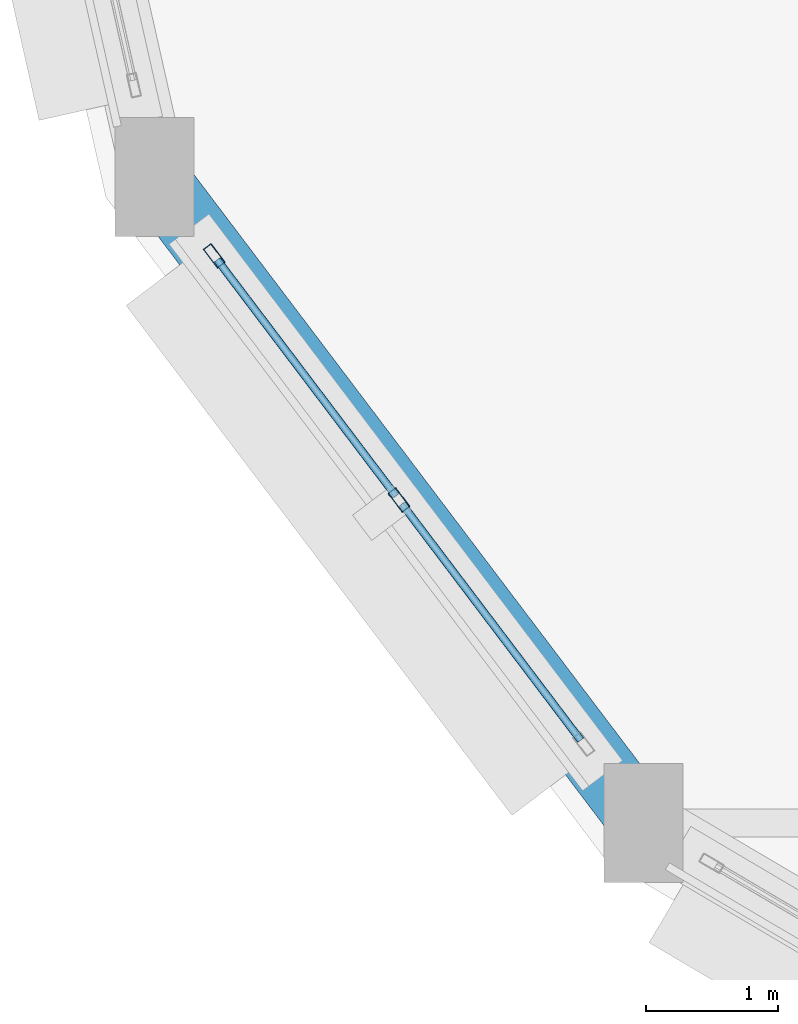
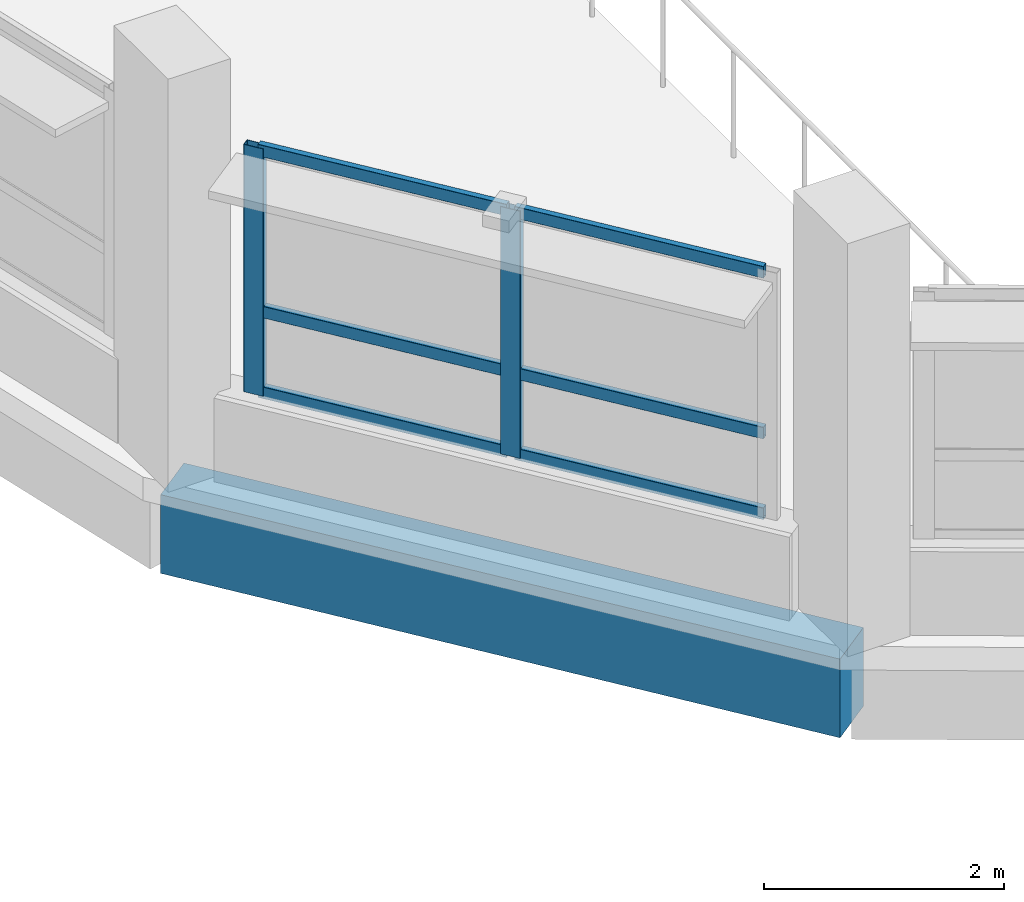
# One storey, part 62 of 128: 8 members, 1 beam, 1 element without a shape of its own.
"""IFC4 building model written with IfcOpenShell, lengths in metres."""

import ifcopenshell
import ifcopenshell.guid

model = None  # the IFC model being written
_history = None  # IfcOwnerHistory: only IFC2X3 demands one
_inside = {}  # id of a spatial element -> (the spatial element, [elements in it])
_under = {}  # id of a project, library or spatial element -> (it, [spatial elements below it])
_declared = {}  # id of a project -> (the project, [libraries it declares])
_typed = {}  # id of a type object -> (the type object, [elements of that type])
_made_of = {}  # id of a material, layer set ... -> (it, [elements and type objects made of it])


def new_model(schema):
    """Start an empty IFC model of exactly this schema.

    Asked for "IFC4X3", IfcOpenShell would pick the latest addendum, in which some entities
    have other attributes; the version numbers below select the first issue.
    IFC2X3 requires an IfcOwnerHistory on every rooted entity: one is made here for all.
    """
    global model, _history
    if schema == "IFC4X3":
        model = ifcopenshell.file(schema_version=(4, 3, 0, 0))
    else:
        model = ifcopenshell.file(schema=schema)
    _inside.clear()
    _under.clear()
    _declared.clear()
    _typed.clear()
    _made_of.clear()
    _history = None
    if model.schema == "IFC2X3":
        org = make("IfcOrganization", Name="unknown")
        user = make(
            "IfcPersonAndOrganization",
            ThePerson=make("IfcPerson", FamilyName="unknown"),
            TheOrganization=org,
        )
        app = make(
            "IfcApplication",
            ApplicationDeveloper=org,
            Version="unknown",
            ApplicationFullName="unknown",
            ApplicationIdentifier="unknown",
        )
        _history = make(
            "IfcOwnerHistory",
            OwningUser=user,
            OwningApplication=app,
            ChangeAction="ADDED",
            CreationDate=0,
        )
    return model


def make(cls, **values):
    """One entity of the class cls with the attributes given. An attribute that is None is left unset."""
    return model.create_entity(
        cls, **{name: value for name, value in values.items() if value is not None}
    )


def rooted(cls, **values):
    """An entity with a GlobalId (a new one), such as an element, a storey or a relation."""
    return make(cls, GlobalId=ifcopenshell.guid.new(), OwnerHistory=_history, **values)


def si_unit(unit_type, name, prefix=None):
    """IfcSIUnit, for example si_unit("LENGTHUNIT", "METRE", prefix="MILLI")."""
    return make("IfcSIUnit", UnitType=unit_type, Prefix=prefix, Name=name)


def assignment(units):
    """IfcUnitAssignment: the units of a project."""
    return None if units is None else make("IfcUnitAssignment", Units=units)


def point(xyz):
    """IfcCartesianPoint."""
    return None if xyz is None else make("IfcCartesianPoint", Coordinates=xyz)


def direction(xyz):
    """IfcDirection."""
    return None if xyz is None else make("IfcDirection", DirectionRatios=xyz)


def frame(location, z_axis=None, x_axis=None):
    """IfcAxis2Placement3D, a coordinate frame: its origin and axes. An axis left out is left unset."""
    return make(
        "IfcAxis2Placement3D",
        Location=point(location),
        Axis=direction(z_axis),
        RefDirection=direction(x_axis),
    )


def frame_2d(location, x_axis=None):
    """IfcAxis2Placement2D, a coordinate frame in the plane: its origin and x axis."""
    return make(
        "IfcAxis2Placement2D", Location=point(location), RefDirection=direction(x_axis)
    )


def origin():
    """The frame at (0, 0, 0) with its axes left unset."""
    return frame((0.0, 0.0, 0.0))


def origin_2d():
    """The frame at (0, 0) in the plane with its x axis left unset."""
    return frame_2d((0.0, 0.0))


def place(relative_to, where):
    """IfcLocalPlacement: puts the frame where relative to a parent placement (None: the world)."""
    return make(
        "IfcLocalPlacement", PlacementRelTo=relative_to, RelativePlacement=where
    )


def context(
    kind, dimensions, precision=None, world=None, true_north=None, identifier=None
):
    """IfcGeometricRepresentationContext, for example the 3D "Model" context."""
    return make(
        "IfcGeometricRepresentationContext",
        ContextIdentifier=identifier,
        ContextType=kind,
        CoordinateSpaceDimension=dimensions,
        Precision=precision,
        WorldCoordinateSystem=world,
        TrueNorth=true_north,
    )


def subcontext(parent, identifier, kind, view, scale=None):
    """IfcGeometricRepresentationSubContext, for example "Body" below "Model"."""
    return make(
        "IfcGeometricRepresentationSubContext",
        ContextIdentifier=identifier,
        ContextType=kind,
        ParentContext=parent,
        TargetScale=scale,
        TargetView=view,
    )


def project(units=None, contexts=None):
    """IfcProject with its units and contexts."""
    return rooted(
        "IfcProject",
        Name="project",
        RepresentationContexts=contexts,
        UnitsInContext=assignment(units),
    )


def spatial(cls, under=None, at=None, **own):
    """A site, building, storey or space (cls), placed at a placement, below another one or the project."""
    s = rooted(cls, ObjectPlacement=at, **own)
    if under is not None:
        _under.setdefault(under.id(), (under, []))[1].append(s)
    return s


def profile(cls, at=None, kind="AREA", **sizes):
    """A parametric profile (cls). Its sizes go by their IFC names, for example OverallWidth=200.0."""
    return make(cls, ProfileType=kind, Position=at, **sizes)


def rectangle(**sizes):
    """IfcRectangleProfileDef."""
    return profile("IfcRectangleProfileDef", **sizes)


def hollow_rectangle(**sizes):
    """IfcRectangleHollowProfileDef."""
    return profile("IfcRectangleHollowProfileDef", **sizes)


def extrude(swept, where, along, depth):
    """IfcExtrudedAreaSolid: the profile swept, set in the frame where, extruded along a direction by depth."""
    return make(
        "IfcExtrudedAreaSolid",
        SweptArea=swept,
        Position=where,
        ExtrudedDirection=direction(along),
        Depth=depth,
    )


def shape(context_of_items, identifier, shape_type, items):
    """IfcShapeRepresentation: the items that make up one representation, for example the "Body"."""
    return make(
        "IfcShapeRepresentation",
        ContextOfItems=context_of_items,
        RepresentationIdentifier=identifier,
        RepresentationType=shape_type,
        Items=items,
    )


def material(Name=None, Category=None):
    """IfcMaterial."""
    return make("IfcMaterial", Name=Name, Category=Category)


def layer(
    of_material, thickness, ventilated=None, Name=None, Category=None, Priority=None
):
    """IfcMaterialLayer: one layer of a wall or slab, of a material (None: an air gap)."""
    return make(
        "IfcMaterialLayer",
        Material=of_material,
        LayerThickness=thickness,
        IsVentilated=ventilated,
        Name=Name,
        Category=Category,
        Priority=Priority,
    )


def layer_set(layers, Name=None):
    """IfcMaterialLayerSet."""
    return make("IfcMaterialLayerSet", MaterialLayers=layers, LayerSetName=Name)


def material_profile(
    of_material, cross_section, Name=None, Category=None, Priority=None
):
    """IfcMaterialProfile: a cross section and its material."""
    return make(
        "IfcMaterialProfile",
        Name=Name,
        Material=of_material,
        Profile=cross_section,
        Priority=Priority,
        Category=Category,
    )


def profile_set(profiles, Name=None, composite=None):
    """IfcMaterialProfileSet."""
    return make(
        "IfcMaterialProfileSet",
        Name=Name,
        MaterialProfiles=profiles,
        CompositeProfile=composite,
    )


def made_of(thing, what):
    """Note that an element or type object is made of a material, layer set ...; save() writes the relation."""
    if what is not None:
        _made_of.setdefault(what.id(), (what, []))[1].append(thing)
    return thing


def type_object(cls, material=None, **own):
    """A type object (cls), such as IfcWallType, which elements share."""
    return made_of(rooted(cls, **own), material)


def element(
    cls,
    number,
    at=None,
    inside=None,
    cuts=None,
    type_object=None,
    material=None,
    context=None,
    identifier="Body",
    shape_type=None,
    held_by="IfcProductDefinitionShape",
    body=None,
    shapes=None,
    **own,
):
    """One element of the class cls, such as IfcWall. Its Tag is "e" and its number.

    at: its placement. inside: the storey or other place that contains it. cuts: it is an
    opening in that element (IfcRelVoidsElement). A single representation is given by context,
    identifier, shape_type and body (its items); several are given by shapes. held_by: the class
    of the entity that holds the representations. save() writes the other relations.
    """
    e = rooted(cls, Tag="e%d" % number, ObjectPlacement=at, **own)
    if body is not None:
        shapes = [shape(context, identifier, shape_type, body)]
    if shapes is not None:
        e.Representation = make(held_by, Representations=shapes)
    if inside is not None:
        _inside.setdefault(inside.id(), (inside, []))[1].append(e)
    if cuts is not None:
        rooted(
            "IfcRelVoidsElement", RelatingBuildingElement=cuts, RelatedOpeningElement=e
        )
    if type_object is not None:
        _typed.setdefault(type_object.id(), (type_object, []))[1].append(e)
    return made_of(e, material)


def aggregate(whole, parts):
    """IfcRelAggregates: a whole, such as a stair, and the parts it consists of."""
    return rooted("IfcRelAggregates", RelatingObject=whole, RelatedObjects=parts)


def save(model, path):
    """Write the relations noted so far, then the file.

    IfcRelAggregates (storeys below a building ...), IfcRelContainedInSpatialStructure (elements
    in a storey), IfcRelDefinesByType, IfcRelAssociatesMaterial and IfcRelDeclares: one each for
    every whole, place, type object, material and project.
    """
    for whole, parts in _under.values():
        aggregate(whole, parts)
    for where, things in _inside.values():
        rooted(
            "IfcRelContainedInSpatialStructure",
            RelatedElements=things,
            RelatingStructure=where,
        )
    for kind, things in _typed.values():
        rooted("IfcRelDefinesByType", RelatedObjects=things, RelatingType=kind)
    for what, things in _made_of.values():
        rooted("IfcRelAssociatesMaterial", RelatedObjects=things, RelatingMaterial=what)
    for by, libraries in _declared.values():
        rooted("IfcRelDeclares", RelatingContext=by, RelatedDefinitions=libraries)
    model.write(path)


model = new_model("IFC4")

# Units and contexts
model_context = context("Model", 3, precision=1e-05, world=origin(), true_north=direction((0.0, 1.0)))
body_context = subcontext(model_context, "Body", "Model", "MODEL_VIEW")
ifc_project = project(units=[si_unit("LENGTHUNIT", "METRE"), si_unit("AREAUNIT", "SQUARE_METRE"), si_unit("VOLUMEUNIT", "CUBIC_METRE"), si_unit("PLANEANGLEUNIT", "RADIAN"), si_unit("MASSUNIT", "GRAM", prefix="KILO")], contexts=[model_context])

# Site, building, storey
site_placement = place(None, origin())
site = spatial("IfcSite", under=ifc_project, at=site_placement, CompositionType="ELEMENT")
building_placement = place(site_placement, origin())
building = spatial("IfcBuilding", under=site, at=building_placement, Name="Vespera Passage Community Centre", CompositionType="ELEMENT")
storey_placement = place(building_placement, frame((0.0, 0.0, 4.5)))
storey = spatial("IfcBuildingStorey", under=building, at=storey_placement, Name="L01", CompositionType="ELEMENT", Elevation=4.5)

# Beam
ifc_material_1 = material(Name="Concrete f'c 35 MPa", Category="concrete")
ifc_material_profile_1 = material_profile(ifc_material_1, rectangle(XDim=0.5, YDim=0.800048828125, at=origin_2d()), Name="RC500X800")
ifc_profile_set_1 = profile_set([ifc_material_profile_1], Name="Concrete f'c 35 MPa")
beam_type = type_object("IfcBeamType", Name="BM-SP-500X800E", PredefinedType="SPANDREL", material=ifc_profile_set_1)
beam_placement = place(storey_placement, frame((127.20166015625, 83.721435546875, -0.639892578125), z_axis=(0.603409203322, -0.797431710773, 0.0), x_axis=(0.797431710773, 0.603409203322, 0.0)))
element("IfcBeam", 1, at=beam_placement, inside=storey, type_object=beam_type, Name="V2 L01 Perimeter Spandrel 10", PredefinedType="SPANDREL", context=body_context, shape_type="SweptSolid", body=[
    extrude(rectangle(XDim=0.5, YDim=0.800048828125, at=origin_2d()), origin(), (0.0, 0.0, 1.0), 6.14306640625),
])

# Curtain wall, members
ifc_material_2 = material(Name="Anodized aluminium 6063-T6", Category="aluminium")
ifc_layer = layer(ifc_material_2, 0.159912109375)
ifc_layer_set = layer_set([ifc_layer], Name="Anodized aluminium 6063-T6")
curtain_wall_type = type_object("IfcCurtainWallType", Name="CW-96E", PredefinedType="NOTDEFINED", material=ifc_layer_set)
curtain_wall_placement = place(storey_placement, origin())
curtain_wall = element("IfcCurtainWall", 2, at=curtain_wall_placement, inside=storey, type_object=curtain_wall_type, Name="Sports Drum Ribbon Curtain Wall L01.10", PredefinedType="NOTDEFINED")
ifc_material_3 = material(Name="Anodized aluminium 6063-T6", Category="aluminium")
ifc_material_profile_2 = material_profile(ifc_material_3, hollow_rectangle(XDim=0.074951171875, YDim=0.179931640625, WallThickness=0.0048828125, InnerFilletRadius=0.00244140625, OuterFilletRadius=0.0048828125, at=origin_2d()), Name="ALU180X75X5")
ifc_profile_set_2 = profile_set([ifc_material_profile_2], Name="Anodized aluminium 6063-T6")
member_type_1 = type_object("IfcMemberType", Name="MB-CWM-180E", PredefinedType="MULLION", material=ifc_profile_set_2)
member_1_placement = place(storey_placement, frame((129.05517578125, 81.272216796875, 0.85009765625), z_axis=(0.0, 0.0, 1.0), x_axis=(-0.797434495654, -0.603405522961, 0.0)))
member_1 = element("IfcMember", 3, at=member_1_placement, type_object=member_type_1, Name="CW-96E mullion 2", PredefinedType="MULLION", context=body_context, shape_type="SweptSolid", body=[
    extrude(hollow_rectangle(XDim=0.074951171875, YDim=0.179931640625, WallThickness=0.0048828125, InnerFilletRadius=0.00244140625, OuterFilletRadius=0.0048828125, at=origin_2d()), origin(), (0.0, 0.0, 1.0), 2.514892578125),
])
member_2_placement = place(storey_placement, frame((127.654052734375, 83.123779296875, 0.85009765625), z_axis=(0.0, 0.0, 1.0), x_axis=(-0.797434495654, -0.603405522961, 0.0)))
member_2 = element("IfcMember", 4, at=member_2_placement, type_object=member_type_1, Name="CW-96E mullion 3", PredefinedType="MULLION", context=body_context, shape_type="SweptSolid", body=[
    extrude(hollow_rectangle(XDim=0.074951171875, YDim=0.179931640625, WallThickness=0.0048828125, InnerFilletRadius=0.00244140625, OuterFilletRadius=0.0048828125, at=origin_2d()), origin(), (0.0, 0.0, 1.0), 2.514892578125),
])
ifc_material_4 = material(Name="Anodized aluminium 6063-T6", Category="aluminium")
ifc_material_profile_3 = material_profile(ifc_material_4, hollow_rectangle(XDim=0.06005859375, YDim=0.1201171875, WallThickness=0.00390625, InnerFilletRadius=0.001953125, OuterFilletRadius=0.00390625, at=origin_2d()), Name="ALU120X60X4")
ifc_profile_set_3 = profile_set([ifc_material_profile_3], Name="Anodized aluminium 6063-T6")
member_type_2 = type_object("IfcMemberType", Name="MB-CWT-120E", PredefinedType="USERDEFINED", material=ifc_profile_set_3)
member_3_placement = place(storey_placement, frame((130.43359375, 79.450439453125, 0.8798828125), z_axis=(-0.603453873456, 0.797397907328, 0.0), x_axis=(-0.797397907328, -0.603453873456, 0.0)))
member_3 = element("IfcMember", 5, at=member_3_placement, type_object=member_type_2, Name="CW-96E transom 1.1", ObjectType="TRANSOM", PredefinedType="USERDEFINED", context=body_context, shape_type="SweptSolid", body=[
    extrude(hollow_rectangle(XDim=0.06005859375, YDim=0.1201171875, WallThickness=0.00390625, InnerFilletRadius=0.001953125, OuterFilletRadius=0.00390625, at=origin_2d()), origin(), (0.0, 0.0, 1.0), 2.2470703125),
])
member_4_placement = place(storey_placement, frame((130.43359375, 79.450439453125, 1.699951171875), z_axis=(-0.603453873456, 0.797397907328, 0.0), x_axis=(-0.797397907328, -0.603453873456, 0.0)))
member_4 = element("IfcMember", 6, at=member_4_placement, type_object=member_type_2, Name="CW-96E transom 1.2", ObjectType="TRANSOM", PredefinedType="USERDEFINED", context=body_context, shape_type="SweptSolid", body=[
    extrude(hollow_rectangle(XDim=0.06005859375, YDim=0.1201171875, WallThickness=0.00390625, InnerFilletRadius=0.001953125, OuterFilletRadius=0.00390625, at=origin_2d()), origin(), (0.0, 0.0, 1.0), 2.2470703125),
])
member_5_placement = place(storey_placement, frame((130.43359375, 79.450439453125, 3.3349609375), z_axis=(-0.603453873456, 0.797397907328, 0.0), x_axis=(-0.797397907328, -0.603453873456, 0.0)))
member_5 = element("IfcMember", 7, at=member_5_placement, type_object=member_type_2, Name="CW-96E transom 1.3", ObjectType="TRANSOM", PredefinedType="USERDEFINED", context=body_context, shape_type="SweptSolid", body=[
    extrude(hollow_rectangle(XDim=0.06005859375, YDim=0.1201171875, WallThickness=0.00390625, InnerFilletRadius=0.001953125, OuterFilletRadius=0.00390625, at=origin_2d()), origin(), (0.0, 0.0, 1.0), 2.2470703125),
])
member_6_placement = place(storey_placement, frame((129.032470703125, 81.302001953125, 0.8798828125), z_axis=(-0.603384780926, 0.797450190386, 0.0), x_axis=(-0.797450190386, -0.603384780926, 0.0)))
member_6 = element("IfcMember", 8, at=member_6_placement, type_object=member_type_2, Name="CW-96E transom 2.1", ObjectType="TRANSOM", PredefinedType="USERDEFINED", context=body_context, shape_type="SweptSolid", body=[
    extrude(hollow_rectangle(XDim=0.06005859375, YDim=0.1201171875, WallThickness=0.00390625, InnerFilletRadius=0.001953125, OuterFilletRadius=0.00390625, at=origin_2d()), origin(), (0.0, 0.0, 1.0), 2.246826171875),
])
member_7_placement = place(storey_placement, frame((129.032470703125, 81.302001953125, 1.699951171875), z_axis=(-0.603384780926, 0.797450190386, 0.0), x_axis=(-0.797450190386, -0.603384780926, 0.0)))
member_7 = element("IfcMember", 9, at=member_7_placement, type_object=member_type_2, Name="CW-96E transom 2.2", ObjectType="TRANSOM", PredefinedType="USERDEFINED", context=body_context, shape_type="SweptSolid", body=[
    extrude(hollow_rectangle(XDim=0.06005859375, YDim=0.1201171875, WallThickness=0.00390625, InnerFilletRadius=0.001953125, OuterFilletRadius=0.00390625, at=origin_2d()), origin(), (0.0, 0.0, 1.0), 2.246826171875),
])
member_8_placement = place(storey_placement, frame((129.032470703125, 81.302001953125, 3.3349609375), z_axis=(-0.603384780926, 0.797450190386, 0.0), x_axis=(-0.797450190386, -0.603384780926, 0.0)))
member_8 = element("IfcMember", 10, at=member_8_placement, type_object=member_type_2, Name="CW-96E transom 2.3", ObjectType="TRANSOM", PredefinedType="USERDEFINED", context=body_context, shape_type="SweptSolid", body=[
    extrude(hollow_rectangle(XDim=0.06005859375, YDim=0.1201171875, WallThickness=0.00390625, InnerFilletRadius=0.001953125, OuterFilletRadius=0.00390625, at=origin_2d()), origin(), (0.0, 0.0, 1.0), 2.246826171875),
])
aggregate(curtain_wall, [member_1, member_2, member_3, member_4, member_5, member_6, member_7, member_8])

save(model, "model.ifc")
